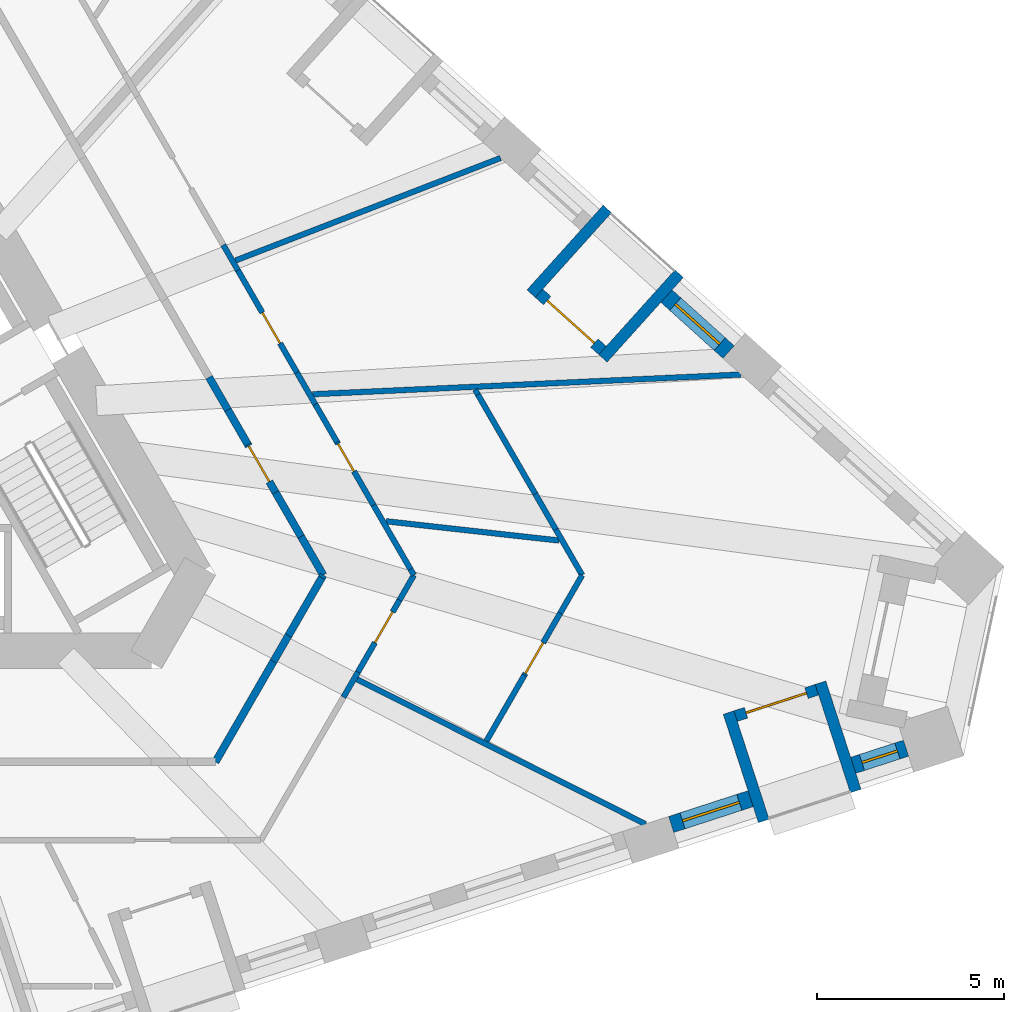
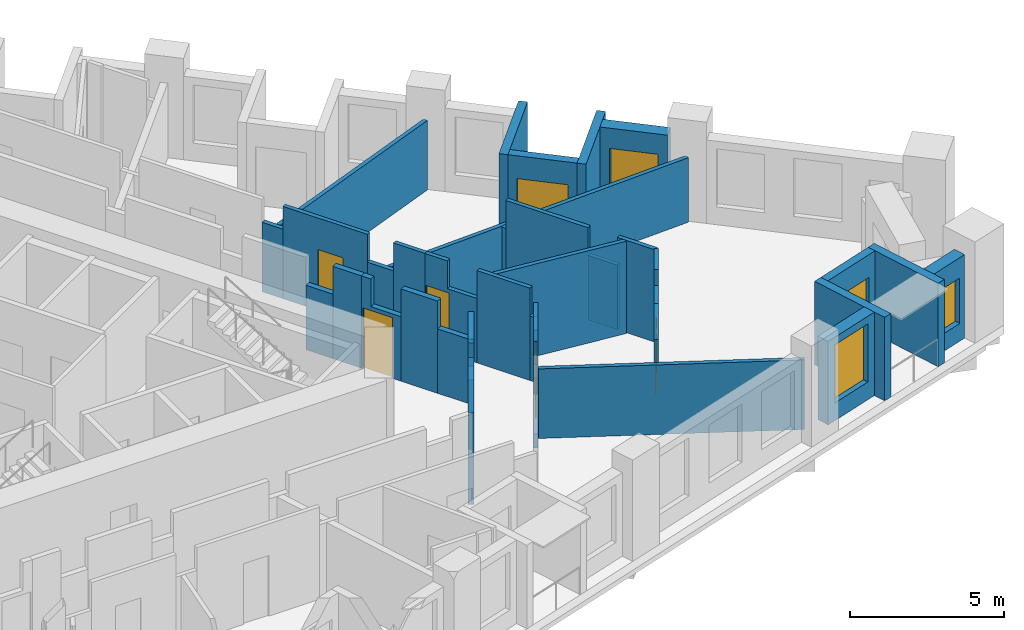
# One storey, part 6 of 12: 39 walls, 7 doors, 3 windows, 10 openings.
"""IFC4 building model written with IfcOpenShell, lengths in metres."""

from ifc_helpers import new_model, si_unit, direction, frame, frame_2d, origin, place, context, subcontext, project, spatial, polyline, rectangle, outline, extrude, material, layer, layer_set, type_object, element, fill, save


model = new_model("IFC4")

# Units and contexts
model_context = context("Model", 3, precision=1e-05, world=origin(), true_north=direction((0.0, 1.0)))
body_context = subcontext(model_context, "Body", "Model", "MODEL_VIEW")
ifc_project = project(units=[si_unit("LENGTHUNIT", "METRE"), si_unit("AREAUNIT", "SQUARE_METRE"), si_unit("VOLUMEUNIT", "CUBIC_METRE"), si_unit("PLANEANGLEUNIT", "RADIAN"), si_unit("MASSUNIT", "GRAM", prefix="KILO")], contexts=[model_context])

# Site, building, storey
site_placement = place(None, origin())
site = spatial("IfcSite", under=ifc_project, at=site_placement, CompositionType="ELEMENT")
building_placement = place(site_placement, origin())
building = spatial("IfcBuilding", under=site, at=building_placement, Name="Tramontana Tower", CompositionType="ELEMENT")
storey_placement = place(building_placement, frame((0.0, 0.0, 96.39990234375)))
storey = spatial("IfcBuildingStorey", under=building, at=storey_placement, Name="L21", CompositionType="ELEMENT", Elevation=96.39990234375)

# Walls
ifc_material_1 = material(Name="Blockwork", Category="masonry")
ifc_layer_1 = layer(ifc_material_1, 0.199951171875)
ifc_layer_set_1 = layer_set([ifc_layer_1], Name="ENTRY WALL 200")
wall_type_1 = type_object("IfcWallType", Name="ENTRY WALL 200", PredefinedType="SOLIDWALL", material=ifc_layer_set_1)
wall_1_placement = place(storey_placement, frame((10.077392578125, 1.04541015625, 0.0), z_axis=(0.0, 0.0, 1.0), x_axis=(0.500051323872, -0.865995769906, 0.0)))
element("IfcWall", 1, at=wall_1_placement, inside=storey, type_object=wall_type_1, Name="Wall v20-ew0-7", PredefinedType="SOLIDWALL", context=body_context, shape_type="SweptSolid", body=[
    extrude(rectangle(XDim=1.0068359375, YDim=0.199951171875, at=frame_2d((0.50341796875, 0.0))), origin(), (0.0, 0.0, 1.0), 2.550048828125),
])
wall_2_placement = place(storey_placement, frame((10.580810546875, 0.173583984375, 0.0), z_axis=(0.0, 0.0, 1.0), x_axis=(0.499920058375, -0.866071553184, 0.0)))
element("IfcWall", 2, at=wall_2_placement, inside=storey, type_object=wall_type_1, Name="Wall v20-ew0-8", PredefinedType="SOLIDWALL", context=body_context, shape_type="SweptSolid", body=[
    extrude(rectangle(XDim=1.069580078125, YDim=0.199951171875, at=frame_2d((0.53466796875, 0.0))), origin(), (0.0, 0.0, 1.0), 3.650146484375),
])

# Wall, opening, door
wall_3_placement = place(storey_placement, frame((11.115478515625, -0.752685546875, 0.0), z_axis=(0.0, 0.0, 1.0), x_axis=(0.499973719246, -0.866040576453, 0.0)))
wall_3 = element("IfcWall", 3, at=wall_3_placement, inside=storey, type_object=wall_type_1, Name="Wall v20-ew0-9", PredefinedType="SOLIDWALL", context=body_context, shape_type="SweptSolid", body=[
    extrude(outline(polyline([(0.0, 0.0), (1.48583984375, 0.0), (1.48583984375, 2.550048828125), (0.349853515625, 2.550048828125), (0.349853515625, 3.650146484375), (0.0, 3.650146484375), (0.0, 0.0)])), frame((0.0, 0.10009765625, 0.0), z_axis=(0.0, -1.0, 0.0), x_axis=(1.0, 0.0, 0.0)), (0.0, 0.0, 1.0), 0.199951171875),
])
opening_1_placement = place(wall_3_placement, frame((0.050048828125, 0.0, 0.0)))
opening_1 = element("IfcOpeningElement", 4, at=opening_1_placement, cuts=wall_3, Name="Opening B2A-24", PredefinedType="OPENING", context=body_context, shape_type="SweptSolid", body=[
    extrude(rectangle(XDim=1.10009765625, YDim=2.39990234375, at=frame_2d((0.550048828125, 1.199951171875))), frame((0.0, 0.10986328125, 0.0), z_axis=(0.0, -1.0, 0.0), x_axis=(1.0, 0.0, 0.0)), (0.0, 0.0, 1.0), 0.219970703125),
])
ifc_material_2 = material(Name="Painted timber", Category="wood")
door_type_1 = type_object("IfcDoorType", Name="DOOR ENTRY 1100", OperationType="SINGLE_SWING_LEFT", PredefinedType="DOOR", material=ifc_material_2)
door_1_placement = place(opening_1_placement, origin())
door_1 = element("IfcDoor", 5, at=door_1_placement, inside=storey, type_object=door_type_1, Name="Door B2A-24", OperationType="SINGLE_SWING_RIGHT", OverallHeight=2.39990234375, OverallWidth=1.10009765625, PredefinedType="DOOR", context=body_context, shape_type="SweptSolid", body=[
    extrude(rectangle(XDim=1.10009765625, YDim=2.39990234375, at=frame_2d((0.550048828125, 1.199951171875))), frame((0.0, 0.02490234375, 0.0), z_axis=(0.0, -1.0, 0.0), x_axis=(1.0, 0.0, 0.0)), (0.0, 0.0, 1.0), 0.050048828125),
])
fill(opening_1, door_1)

# Walls
wall_4_placement = place(storey_placement, frame((11.8583984375, -2.03955078125, 0.0), z_axis=(0.0, 0.0, 1.0), x_axis=(0.500038357328, -0.866003257038, 0.0)))
element("IfcWall", 6, at=wall_4_placement, inside=storey, type_object=wall_type_1, Name="Wall v20-ew0-10", PredefinedType="SOLIDWALL", context=body_context, shape_type="SweptSolid", body=[
    extrude(rectangle(XDim=1.3603515625, YDim=0.199951171875, at=frame_2d((0.68017578125, 0.0))), origin(), (0.0, 0.0, 1.0), 3.650146484375),
])
wall_5_placement = place(storey_placement, frame((12.53857421875, -3.217529296875, 0.0), z_axis=(0.0, 0.0, 1.0), x_axis=(0.500059236744, -0.865991200733, 0.0)))
element("IfcWall", 7, at=wall_5_placement, inside=storey, type_object=wall_type_1, Name="Wall v20-ew0-11", PredefinedType="SOLIDWALL", context=body_context, shape_type="SweptSolid", body=[
    extrude(rectangle(XDim=1.192138671875, YDim=0.199951171875, at=frame_2d((0.59619140625, 0.0))), origin(), (0.0, 0.0, 1.0), 2.550048828125),
])
wall_6_placement = place(storey_placement, frame((13.134765625, -4.25, 0.0), z_axis=(0.0, 0.0, 1.0), x_axis=(-0.501397775159, -0.865216892499, 0.0)))
element("IfcWall", 8, at=wall_6_placement, inside=storey, type_object=wall_type_1, Name="Wall v20-ew1-0", PredefinedType="SOLIDWALL", context=body_context, shape_type="SweptSolid", body=[
    extrude(rectangle(XDim=0.079833984375, YDim=0.199951171875, at=frame_2d((0.0400390625, 0.0))), origin(), (0.0, 0.0, 1.0), 2.550048828125),
])
wall_7_placement = place(storey_placement, frame((13.0947265625, -4.319091796875, 0.0), z_axis=(0.0, 0.0, 1.0), x_axis=(-0.499986405537, -0.866033252409, 0.0)))
element("IfcWall", 9, at=wall_7_placement, inside=storey, type_object=wall_type_1, Name="Wall v20-ew1-1", PredefinedType="SOLIDWALL", context=body_context, shape_type="SweptSolid", body=[
    extrude(rectangle(XDim=1.7880859375, YDim=0.199951171875, at=frame_2d((0.89404296875, 0.0))), origin(), (0.0, 0.0, 1.0), 3.650146484375),
])
wall_8_placement = place(storey_placement, frame((12.20068359375, -5.86767578125, 0.0), z_axis=(0.0, 0.0, 1.0), x_axis=(-0.499942357345, -0.866058681229, 0.0)))
element("IfcWall", 10, at=wall_8_placement, inside=storey, type_object=wall_type_1, Name="Wall v20-ew1-2", PredefinedType="SOLIDWALL", context=body_context, shape_type="SweptSolid", body=[
    extrude(rectangle(XDim=0.80078125, YDim=0.199951171875, at=frame_2d((0.400390625, 0.0))), origin(), (0.0, 0.0, 1.0), 2.75),
])
wall_9_placement = place(storey_placement, frame((11.80029296875, -6.561279296875, 0.0), z_axis=(0.0, 0.0, 1.0), x_axis=(-0.499978855264, -0.866037611359, 0.0)))
element("IfcWall", 11, at=wall_9_placement, inside=storey, type_object=wall_type_1, Name="Wall v20-ew1-3", PredefinedType="SOLIDWALL", context=body_context, shape_type="SweptSolid", body=[
    extrude(rectangle(XDim=3.104736328125, YDim=0.199951171875, at=frame_2d((1.55224609375, 0.0))), origin(), (0.0, 0.0, 1.0), 3.650146484375),
])

# Wall, opening, window
ifc_material_3 = material(Name="Precast concrete 60 MPa", Category="concrete")
ifc_layer_2 = layer(ifc_material_3, 0.449951171875)
ifc_layer_set_2 = layer_set([ifc_layer_2], Name="Precast concrete 60 MPa, 450 mm")
wall_type_2 = type_object("IfcWallType", Name="EW1 Stone-faced precast wall 450", PredefinedType="SOLIDWALL", material=ifc_layer_set_2)
wall_10_placement = place(storey_placement, frame((22.444580078125, -10.923828125, 0.0), z_axis=(0.0, 0.0, 1.0), x_axis=(0.951067749801, 0.30898241906, 0.0)))
wall_10 = element("IfcWall", 12, at=wall_10_placement, inside=storey, type_object=wall_type_2, Name="External wall L21 face 1 bay 6", PredefinedType="SOLIDWALL", context=body_context, shape_type="SweptSolid", body=[
    extrude(rectangle(XDim=2.23681640625, YDim=0.449951171875, at=frame_2d((1.118408203125, 0.0))), origin(), (0.0, 0.0, 1.0), 3.300048828125),
])
opening_2_placement = place(wall_10_placement, frame((0.318359375, 0.0, 0.699951171875)))
opening_2 = element("IfcOpeningElement", 13, at=opening_2_placement, cuts=wall_10, Name="Opening M1", PredefinedType="OPENING", context=body_context, shape_type="SweptSolid", body=[
    extrude(rectangle(XDim=1.60009765625, YDim=2.300048828125, at=frame_2d((0.800048828125, 1.14990234375))), frame((0.0, 0.23486328125, 0.0), z_axis=(0.0, -1.0, 0.0), x_axis=(1.0, 0.0, 0.0)), (0.0, 0.0, 1.0), 0.469970703125),
])
ifc_material_4 = material(Name="Aluminum frame, double glazing unit", Category="aluminium")
window_type_1 = type_object("IfcWindowType", Name="M1 Window 1.6 x 2.3", PartitioningType="SINGLE_PANEL", PredefinedType="WINDOW", material=ifc_material_4)
window_1_placement = place(opening_2_placement, origin())
window_1 = element("IfcWindow", 14, at=window_1_placement, inside=storey, type_object=window_type_1, Name="Window M1 L21 face 1 module 16", OverallHeight=2.300048828125, OverallWidth=1.60009765625, PartitioningType="SINGLE_PANEL", PredefinedType="WINDOW", context=body_context, shape_type="SweptSolid", body=[
    extrude(rectangle(XDim=1.60009765625, YDim=2.300048828125, at=frame_2d((0.800048828125, 1.14990234375))), frame((0.0, 0.030029296875, 0.0), z_axis=(0.0, -1.0, 0.0), x_axis=(1.0, 0.0, 0.0)), (0.0, 0.0, 1.0), 0.06005859375),
])
fill(opening_2, window_1)

wall_11_placement = place(storey_placement, frame((27.3173828125, -9.340576171875, 0.0), z_axis=(0.0, 0.0, 1.0), x_axis=(0.951053373744, 0.309026665985, 0.0)))
wall_11 = element("IfcWall", 15, at=wall_11_placement, inside=storey, type_object=wall_type_2, Name="External wall L21 face 1 bay 6", PredefinedType="SOLIDWALL", context=body_context, shape_type="SweptSolid", body=[
    extrude(rectangle(XDim=1.48681640625, YDim=0.449951171875, at=frame_2d((0.743408203125, 0.0))), origin(), (0.0, 0.0, 1.0), 3.300048828125),
])
opening_3_placement = place(wall_11_placement, frame((0.243408203125, 0.0, 0.699951171875)))
opening_3 = element("IfcOpeningElement", 16, at=opening_3_placement, cuts=wall_11, Name="Opening N1L", PredefinedType="OPENING", context=body_context, shape_type="SweptSolid", body=[
    extrude(rectangle(XDim=1.0, YDim=1.800048828125, at=frame_2d((0.5, 0.89990234375))), frame((0.0, 0.23486328125, 0.0), z_axis=(0.0, -1.0, 0.0), x_axis=(1.0, 0.0, 0.0)), (0.0, 0.0, 1.0), 0.469970703125),
])
ifc_material_5 = material(Name="Aluminum frame, double glazing unit", Category="aluminium")
window_type_2 = type_object("IfcWindowType", Name="N1L Window 1 x 1.8", PartitioningType="SINGLE_PANEL", PredefinedType="WINDOW", material=ifc_material_5)
window_2_placement = place(opening_3_placement, origin())
window_2 = element("IfcWindow", 17, at=window_2_placement, inside=storey, type_object=window_type_2, Name="Window N1L L21 face 1 module 18", OverallHeight=1.800048828125, OverallWidth=1.0, PartitioningType="SINGLE_PANEL", PredefinedType="WINDOW", context=body_context, shape_type="SweptSolid", body=[
    extrude(rectangle(XDim=1.0, YDim=1.800048828125, at=frame_2d((0.5, 0.89990234375))), frame((0.0, 0.030029296875, 0.0), z_axis=(0.0, -1.0, 0.0), x_axis=(1.0, 0.0, 0.0)), (0.0, 0.0, 1.0), 0.06005859375),
])
fill(opening_3, window_2)

wall_12_placement = place(storey_placement, frame((23.981201171875, 1.72021484375, 0.0), z_axis=(0.0, 0.0, 1.0), x_axis=(-0.743142151309, 0.669133576311, 0.0)))
wall_12 = element("IfcWall", 18, at=wall_12_placement, inside=storey, type_object=wall_type_2, Name="External wall L21 face 2 bay 2", PredefinedType="SOLIDWALL", context=body_context, shape_type="SweptSolid", body=[
    extrude(rectangle(XDim=2.236572265625, YDim=0.449951171875, at=frame_2d((1.1181640625, 0.0))), origin(), (0.0, 0.0, 1.0), 3.300048828125),
])
opening_4_placement = place(wall_12_placement, frame((0.318359375, 0.0, 0.699951171875)))
opening_4 = element("IfcOpeningElement", 19, at=opening_4_placement, cuts=wall_12, Name="Opening M1L", PredefinedType="OPENING", context=body_context, shape_type="SweptSolid", body=[
    extrude(rectangle(XDim=1.60009765625, YDim=1.800048828125, at=frame_2d((0.800048828125, 0.89990234375))), frame((0.0, 0.23486328125, 0.0), z_axis=(0.0, -1.0, 0.0), x_axis=(1.0, 0.0, 0.0)), (0.0, 0.0, 1.0), 0.469970703125),
])
ifc_material_6 = material(Name="Aluminum frame, double glazing unit", Category="aluminium")
window_type_3 = type_object("IfcWindowType", Name="M1L Window 1.6 x 1.8", PartitioningType="SINGLE_PANEL", PredefinedType="WINDOW", material=ifc_material_6)
window_3_placement = place(opening_4_placement, origin())
window_3 = element("IfcWindow", 20, at=window_3_placement, inside=storey, type_object=window_type_3, Name="Window M1L L21 face 2 module 4", OverallHeight=1.800048828125, OverallWidth=1.60009765625, PartitioningType="SINGLE_PANEL", PredefinedType="WINDOW", context=body_context, shape_type="SweptSolid", body=[
    extrude(rectangle(XDim=1.60009765625, YDim=1.800048828125, at=frame_2d((0.800048828125, 0.89990234375))), frame((0.0, 0.030029296875, 0.0), z_axis=(0.0, -1.0, 0.0), x_axis=(1.0, 0.0, 0.0)), (0.0, 0.0, 1.0), 0.06005859375),
])
fill(opening_4, window_3)

# Wall, opening, door
ifc_material_7 = material(Name="Precast concrete 60 MPa", Category="concrete")
ifc_layer_3 = layer(ifc_material_7, 0.300048828125)
ifc_layer_set_3 = layer_set([ifc_layer_3], Name="LW1 Stone-faced loggia wall 300")
wall_type_3 = type_object("IfcWallType", Name="LW1 Stone-faced loggia wall 300", PredefinedType="SOLIDWALL", material=ifc_layer_set_3)
wall_13_placement = place(storey_placement, frame((24.169677734375, -8.02392578125, 0.0), z_axis=(0.0, 0.0, 1.0), x_axis=(0.95103720697, 0.309076416051, 0.0)))
wall_13 = element("IfcWall", 21, at=wall_13_placement, inside=storey, type_object=wall_type_3, Name="Loggia wall L21 G2S1.16", PredefinedType="SOLIDWALL", context=body_context, shape_type="SweptSolid", body=[
    extrude(rectangle(XDim=2.286865234375, YDim=0.300048828125, at=frame_2d((1.1435546875, 0.0))), origin(), (0.0, 0.0, 1.0), 3.300048828125),
])
opening_5_placement = place(wall_13_placement, frame((0.29345703125, 0.0, 0.0)))
opening_5 = element("IfcOpeningElement", 22, at=opening_5_placement, cuts=wall_13, Name="Opening BD-2S1-16", PredefinedType="OPENING", context=body_context, shape_type="SweptSolid", body=[
    extrude(rectangle(XDim=1.699951171875, YDim=2.39990234375, at=frame_2d((0.85009765625, 1.199951171875))), frame((0.0, 0.159912109375, 0.0), z_axis=(0.0, -1.0, 0.0), x_axis=(1.0, 0.0, 0.0)), (0.0, 0.0, 1.0), 0.320068359375),
])
ifc_material_8 = material(Name="Aluminum frame, double glazing unit", Category="aluminium")
door_type_2 = type_object("IfcDoorType", Name="BD1 Sliding door 1.7 x 2.4", OperationType="SLIDING_TO_LEFT", PredefinedType="DOOR", material=ifc_material_8)
door_2_placement = place(opening_5_placement, origin())
door_2 = element("IfcDoor", 23, at=door_2_placement, inside=storey, type_object=door_type_2, Name="Loggia door L21 G2S1.16", OperationType="SLIDING_TO_LEFT", OverallHeight=2.39990234375, OverallWidth=1.699951171875, PredefinedType="DOOR", context=body_context, shape_type="SweptSolid", body=[
    extrude(rectangle(XDim=1.699951171875, YDim=2.39990234375, at=frame_2d((0.85009765625, 1.199951171875))), frame((0.0, 0.02490234375, 0.0), z_axis=(0.0, -1.0, 0.0), x_axis=(1.0, 0.0, 0.0)), (0.0, 0.0, 1.0), 0.050048828125),
])
fill(opening_5, door_2)

# Walls
wall_14_placement = place(storey_placement, frame((24.923095703125, -10.828369140625, 0.0), z_axis=(0.0, 0.0, 1.0), x_axis=(-0.308966615996, 0.951072883748, 0.0)))
element("IfcWall", 24, at=wall_14_placement, inside=storey, type_object=wall_type_3, Name="Loggia return L21 G2S1.16a", PredefinedType="SOLIDWALL", context=body_context, shape_type="SweptSolid", body=[
    extrude(rectangle(XDim=3.050048828125, YDim=0.300048828125, at=frame_2d((1.52490234375, 0.0))), origin(), (0.0, 0.0, 1.0), 3.300048828125),
])
wall_15_placement = place(storey_placement, frame((27.38330078125, -10.02880859375, 0.0), z_axis=(0.0, 0.0, 1.0), x_axis=(-0.308990138358, 0.951065241925, 0.0)))
element("IfcWall", 25, at=wall_15_placement, inside=storey, type_object=wall_type_3, Name="Loggia return L21 G2S1.16b", PredefinedType="SOLIDWALL", context=body_context, shape_type="SweptSolid", body=[
    extrude(rectangle(XDim=3.0498046875, YDim=0.300048828125, at=frame_2d((1.52490234375, 0.0))), origin(), (0.0, 0.0, 1.0), 3.300048828125),
])

# Wall, opening, door
wall_16_placement = place(storey_placement, frame((20.607421875, 1.76416015625, 0.0), z_axis=(0.0, 0.0, 1.0), x_axis=(-0.743182653308, 0.669088591909, 0.0)))
wall_16 = element("IfcWall", 26, at=wall_16_placement, inside=storey, type_object=wall_type_3, Name="Loggia wall L21 G2S2.4", PredefinedType="SOLIDWALL", context=body_context, shape_type="SweptSolid", body=[
    extrude(rectangle(XDim=2.28662109375, YDim=0.300048828125, at=frame_2d((1.143310546875, 0.0))), origin(), (0.0, 0.0, 1.0), 3.300048828125),
])
opening_6_placement = place(wall_16_placement, frame((0.29345703125, 0.0, 0.0)))
opening_6 = element("IfcOpeningElement", 27, at=opening_6_placement, cuts=wall_16, Name="Opening BD-2S2-04", PredefinedType="OPENING", context=body_context, shape_type="SweptSolid", body=[
    extrude(rectangle(XDim=1.699951171875, YDim=2.39990234375, at=frame_2d((0.85009765625, 1.199951171875))), frame((0.0, 0.159912109375, 0.0), z_axis=(0.0, -1.0, 0.0), x_axis=(1.0, 0.0, 0.0)), (0.0, 0.0, 1.0), 0.320068359375),
])
door_3_placement = place(opening_6_placement, origin())
door_3 = element("IfcDoor", 28, at=door_3_placement, inside=storey, type_object=door_type_2, Name="Loggia door L21 G2S2.4", OperationType="SLIDING_TO_LEFT", OverallHeight=2.39990234375, OverallWidth=1.699951171875, PredefinedType="DOOR", context=body_context, shape_type="SweptSolid", body=[
    extrude(rectangle(XDim=1.699951171875, YDim=2.39990234375, at=frame_2d((0.85009765625, 1.199951171875))), frame((0.0, 0.02490234375, 0.0), z_axis=(0.0, -1.0, 0.0), x_axis=(1.0, 0.0, 0.0)), (0.0, 0.0, 1.0), 0.050048828125),
])
fill(opening_6, door_3)

# Walls
for number, where, z_axis, x_axis, name in (
    (29, (22.6591796875, 3.81884765625, 0.0), (0.0, 0.0, 1.0), (-0.669115082961, -0.743158802514, 0.0), "Loggia return L21 G2S2.4a"),
    (30, (20.73681640625, 5.5498046875, 0.0), (0.0, 0.0, 1.0), (-0.669115082961, -0.743158802514, 0.0), "Loggia return L21 G2S2.4b"),
):
    element("IfcWall", number, at=place(storey_placement, frame(where, z_axis=z_axis, x_axis=x_axis)), inside=storey, type_object=wall_type_3, Name=name, PredefinedType="SOLIDWALL", context=body_context, shape_type="SweptSolid", body=[
        extrude(rectangle(XDim=3.050048828125, YDim=0.300048828125, at=frame_2d((1.52490234375, 0.0))), origin(), (0.0, 0.0, 1.0), 3.300048828125),
    ])
ifc_material_9 = material(Name="Gypsum board partition")
ifc_layer_4 = layer(ifc_material_9, 0.14990234375)
ifc_layer_set_4 = layer_set([ifc_layer_4], Name="PARTITION 150")
wall_type_4 = type_object("IfcWallType", Name="PARTITION 150", PredefinedType="PARTITIONING", material=ifc_layer_set_4)
wall_17_placement = place(storey_placement, frame((10.4580078125, 4.58642578125, 0.0), z_axis=(0.0, 0.0, 1.0), x_axis=(0.49979442921, -0.866144057608, 0.0)))
element("IfcWall", 31, at=wall_17_placement, inside=storey, type_object=wall_type_4, Name="Wall v20-pw23-4", PredefinedType="PARTITIONING", context=body_context, shape_type="SweptSolid", body=[
    extrude(rectangle(XDim=0.782958984375, YDim=0.14990234375, at=frame_2d((0.3916015625, 0.0))), origin(), (0.0, 0.0, 1.0), 2.75),
])

# Wall, opening, door
wall_18_placement = place(storey_placement, frame((10.849365234375, 3.908203125, 0.0), z_axis=(0.0, 0.0, 1.0), x_axis=(0.500027861653, -0.866009317254, 0.0)))
wall_18 = element("IfcWall", 32, at=wall_18_placement, inside=storey, type_object=wall_type_4, Name="Wall v20-pw23-5", PredefinedType="PARTITIONING", context=body_context, shape_type="SweptSolid", body=[
    extrude(rectangle(XDim=3.159912109375, YDim=0.14990234375, at=frame_2d((1.580078125, 0.0))), origin(), (0.0, 0.0, 1.0), 3.650146484375),
])
opening_7_placement = place(wall_18_placement, frame((1.30712890625, 0.0, 0.0)))
opening_7 = element("IfcOpeningElement", 33, at=opening_7_placement, cuts=wall_18, Name="Opening B2A-18", PredefinedType="OPENING", context=body_context, shape_type="SweptSolid", body=[
    extrude(rectangle(XDim=0.949951171875, YDim=2.39990234375, at=frame_2d((0.47509765625, 1.199951171875))), frame((0.0, 0.0849609375, 0.0), z_axis=(0.0, -1.0, 0.0), x_axis=(1.0, 0.0, 0.0)), (0.0, 0.0, 1.0), 0.169921875),
])
ifc_material_10 = material(Name="Painted timber", Category="wood")
door_type_3 = type_object("IfcDoorType", Name="DOOR ROOM 950", OperationType="SINGLE_SWING_LEFT", PredefinedType="DOOR", material=ifc_material_10)
door_4_placement = place(opening_7_placement, origin())
door_4 = element("IfcDoor", 34, at=door_4_placement, inside=storey, type_object=door_type_3, Name="Door B2A-18", OperationType="SINGLE_SWING_RIGHT", OverallHeight=2.39990234375, OverallWidth=0.949951171875, PredefinedType="DOOR", context=body_context, shape_type="SweptSolid", body=[
    extrude(rectangle(XDim=0.949951171875, YDim=2.39990234375, at=frame_2d((0.47509765625, 1.199951171875))), frame((0.0, 0.02490234375, 0.0), z_axis=(0.0, -1.0, 0.0), x_axis=(1.0, 0.0, 0.0)), (0.0, 0.0, 1.0), 0.050048828125),
])
fill(opening_7, door_4)

# Walls
wall_19_placement = place(storey_placement, frame((12.429443359375, 1.171630859375, 0.0), z_axis=(0.0, 0.0, 1.0), x_axis=(0.499895202697, -0.866085900082, 0.0)))
element("IfcWall", 35, at=wall_19_placement, inside=storey, type_object=wall_type_4, Name="Wall v20-pw23-6", PredefinedType="PARTITIONING", context=body_context, shape_type="SweptSolid", body=[
    extrude(rectangle(XDim=0.978759765625, YDim=0.14990234375, at=frame_2d((0.4892578125, 0.0))), origin(), (0.0, 0.0, 1.0), 2.550048828125),
])
wall_20_placement = place(storey_placement, frame((12.918701171875, 0.323974609375, 0.0), z_axis=(0.0, 0.0, 1.0), x_axis=(0.500028278809, -0.866009076391, 0.0)))
element("IfcWall", 36, at=wall_20_placement, inside=storey, type_object=wall_type_4, Name="Wall v20-pw23-7", PredefinedType="PARTITIONING", context=body_context, shape_type="SweptSolid", body=[
    extrude(rectangle(XDim=1.1748046875, YDim=0.14990234375, at=frame_2d((0.58740234375, 0.0))), origin(), (0.0, 0.0, 1.0), 3.650146484375),
])

# Wall, opening, door
wall_21_placement = place(storey_placement, frame((13.506103515625, -0.693359375, 0.0), z_axis=(0.0, 0.0, 1.0), x_axis=(0.500001430823, -0.866024577697, 0.0)))
wall_21 = element("IfcWall", 37, at=wall_21_placement, inside=storey, type_object=wall_type_4, Name="Wall v20-pw23-8", PredefinedType="PARTITIONING", context=body_context, shape_type="SweptSolid", body=[
    extrude(outline(polyline([(0.0, 0.0), (1.9443359375, 0.0), (1.944580078125, 2.550048828125), (0.83984375, 2.550048828125), (0.83984375, 3.650146484375), (0.0, 3.650146484375), (0.0, 0.0)])), frame((0.0, 0.074951171875, 0.0), z_axis=(0.0, -1.0, 0.0), x_axis=(1.0, 0.0, 0.0)), (0.0, 0.0, 1.0), 0.14990234375),
])
opening_8_placement = place(wall_21_placement, frame((0.050048828125, 0.0, 0.0)))
opening_8 = element("IfcOpeningElement", 38, at=opening_8_placement, cuts=wall_21, Name="Opening B2A-16", PredefinedType="OPENING", context=body_context, shape_type="SweptSolid", body=[
    extrude(rectangle(XDim=0.85009765625, YDim=2.39990234375, at=frame_2d((0.425048828125, 1.199951171875))), frame((0.0, 0.0849609375, 0.0), z_axis=(0.0, -1.0, 0.0), x_axis=(1.0, 0.0, 0.0)), (0.0, 0.0, 1.0), 0.169921875),
])
ifc_material_11 = material(Name="Painted timber", Category="wood")
door_type_4 = type_object("IfcDoorType", Name="DOOR BATH 850", OperationType="SINGLE_SWING_LEFT", PredefinedType="DOOR", material=ifc_material_11)
door_5_placement = place(opening_8_placement, origin())
door_5 = element("IfcDoor", 39, at=door_5_placement, inside=storey, type_object=door_type_4, Name="Door B2A-16", OperationType="SINGLE_SWING_RIGHT", OverallHeight=2.39990234375, OverallWidth=0.85009765625, PredefinedType="DOOR", context=body_context, shape_type="SweptSolid", body=[
    extrude(rectangle(XDim=0.85009765625, YDim=2.39990234375, at=frame_2d((0.425048828125, 1.199951171875))), frame((0.0, 0.02490234375, 0.0), z_axis=(0.0, -1.0, 0.0), x_axis=(1.0, 0.0, 0.0)), (0.0, 0.0, 1.0), 0.050048828125),
])
fill(opening_8, door_5)

# Walls
wall_22_placement = place(storey_placement, frame((14.478271484375, -2.377197265625, 0.0), z_axis=(0.0, 0.0, 1.0), x_axis=(0.499971491109, -0.866041862775, 0.0)))
element("IfcWall", 40, at=wall_22_placement, inside=storey, type_object=wall_type_4, Name="Wall v20-pw23-9", PredefinedType="PARTITIONING", context=body_context, shape_type="SweptSolid", body=[
    extrude(rectangle(XDim=1.97998046875, YDim=0.14990234375, at=frame_2d((0.989990234375, 0.0))), origin(), (0.0, 0.0, 1.0), 3.650146484375),
])
wall_23_placement = place(storey_placement, frame((15.46826171875, -4.092041015625, 0.0), z_axis=(0.0, 0.0, 1.0), x_axis=(0.50045593687, -0.865762008436, 0.0)))
element("IfcWall", 41, at=wall_23_placement, inside=storey, type_object=wall_type_4, Name="Wall v20-pw23-10", PredefinedType="PARTITIONING", context=body_context, shape_type="SweptSolid", body=[
    extrude(rectangle(XDim=0.182373046875, YDim=0.14990234375, at=frame_2d((0.09130859375, 0.0))), origin(), (0.0, 0.0, 1.0), 2.550048828125),
])
wall_24_placement = place(storey_placement, frame((10.784912109375, 4.170166015625, 0.0), z_axis=(0.0, 0.0, 1.0), x_axis=(0.932701213241, 0.360650033716, 0.0)))
element("IfcWall", 42, at=wall_24_placement, inside=storey, type_object=wall_type_4, Name="Wall v20-pw30-0", PredefinedType="PARTITIONING", context=body_context, shape_type="SweptSolid", body=[
    extrude(rectangle(XDim=7.604736328125, YDim=0.14990234375, at=frame_2d((3.80224609375, 0.0))), origin(), (0.0, 0.0, 1.0), 2.75),
])
wall_25_placement = place(storey_placement, frame((12.851318359375, 0.591064453125, 0.0), z_axis=(0.0, 0.0, 1.0), x_axis=(0.998944359646, 0.045936546805, 0.0)))
element("IfcWall", 43, at=wall_25_placement, inside=storey, type_object=wall_type_4, Name="Wall v20-pw33-0", PredefinedType="PARTITIONING", context=body_context, shape_type="SweptSolid", body=[
    extrude(rectangle(XDim=11.474609375, YDim=0.14990234375, at=frame_2d((5.7373046875, 0.0))), origin(), (0.0, 0.0, 1.0), 2.550048828125),
])
wall_26_placement = place(storey_placement, frame((14.813720703125, -2.80810546875, 0.0), z_axis=(0.0, 0.0, 1.0), x_axis=(0.993844670605, -0.110782537929, 0.0)))
element("IfcWall", 44, at=wall_26_placement, inside=storey, type_object=wall_type_4, Name="Wall v20-pw34", PredefinedType="PARTITIONING", context=body_context, shape_type="SweptSolid", body=[
    extrude(rectangle(XDim=4.656494140625, YDim=0.14990234375, at=frame_2d((2.328125, 0.0))), origin(), (0.0, 0.0, 1.0), 3.650146484375),
])
wall_27_placement = place(storey_placement, frame((15.5595703125, -4.25, 0.0), z_axis=(0.0, 0.0, 1.0), x_axis=(-0.500124558158, -0.865953478154, 0.0)))
element("IfcWall", 45, at=wall_27_placement, inside=storey, type_object=wall_type_4, Name="Wall v20-pw35-0", PredefinedType="PARTITIONING", context=body_context, shape_type="SweptSolid", body=[
    extrude(rectangle(XDim=0.770751953125, YDim=0.14990234375, at=frame_2d((0.38525390625, 0.0))), origin(), (0.0, 0.0, 1.0), 2.550048828125),
])

# Wall, opening, door
wall_28_placement = place(storey_placement, frame((15.174072265625, -4.91748046875, 0.0), z_axis=(0.0, 0.0, 1.0), x_axis=(-0.49993766618, -0.866061389241, 0.0)))
wall_28 = element("IfcWall", 46, at=wall_28_placement, inside=storey, type_object=wall_type_4, Name="Wall v20-pw35-1", PredefinedType="PARTITIONING", context=body_context, shape_type="SweptSolid", body=[
    extrude(rectangle(XDim=2.225830078125, YDim=0.14990234375, at=frame_2d((1.11279296875, 0.0))), origin(), (0.0, 0.0, 1.0), 3.650146484375),
])
opening_9_placement = place(wall_28_placement, frame((0.366455078125, 0.0, 0.0)))
opening_9 = element("IfcOpeningElement", 47, at=opening_9_placement, cuts=wall_28, Name="Opening B2A-15", PredefinedType="OPENING", context=body_context, shape_type="SweptSolid", body=[
    extrude(rectangle(XDim=0.949951171875, YDim=2.39990234375, at=frame_2d((0.47509765625, 1.199951171875))), frame((0.0, 0.0849609375, 0.0), z_axis=(0.0, -1.0, 0.0), x_axis=(1.0, 0.0, 0.0)), (0.0, 0.0, 1.0), 0.169921875),
])
door_6_placement = place(opening_9_placement, origin())
door_6 = element("IfcDoor", 48, at=door_6_placement, inside=storey, type_object=door_type_3, Name="Door B2A-15", OperationType="SINGLE_SWING_LEFT", OverallHeight=2.39990234375, OverallWidth=0.949951171875, PredefinedType="DOOR", context=body_context, shape_type="SweptSolid", body=[
    extrude(rectangle(XDim=0.949951171875, YDim=2.39990234375, at=frame_2d((0.47509765625, 1.199951171875))), frame((0.0, 0.02490234375, 0.0), z_axis=(0.0, -1.0, 0.0), x_axis=(1.0, 0.0, 0.0)), (0.0, 0.0, 1.0), 0.050048828125),
])
fill(opening_9, door_6)

# Walls
wall_29_placement = place(storey_placement, frame((14.061279296875, -6.84521484375, 0.0), z_axis=(0.0, 0.0, 1.0), x_axis=(-0.500031167255, -0.866007408613, 0.0)))
element("IfcWall", 49, at=wall_29_placement, inside=storey, type_object=wall_type_4, Name="Wall v20-pw35-2", PredefinedType="PARTITIONING", context=body_context, shape_type="SweptSolid", body=[
    extrude(rectangle(XDim=0.77587890625, YDim=0.14990234375, at=frame_2d((0.387939453125, 0.0))), origin(), (0.0, 0.0, 1.0), 2.75),
])
wall_30_placement = place(storey_placement, frame((17.196044921875, 0.715576171875, 0.0), z_axis=(0.0, 0.0, 1.0), x_axis=(0.499858525911, -0.866107068482, 0.0)))
element("IfcWall", 50, at=wall_30_placement, inside=storey, type_object=wall_type_4, Name="Wall v20-pw36-0", PredefinedType="PARTITIONING", context=body_context, shape_type="SweptSolid", body=[
    extrude(rectangle(XDim=0.1552734375, YDim=0.14990234375, at=frame_2d((0.07763671875, 0.0))), origin(), (0.0, 0.0, 1.0), 2.550048828125),
])
wall_31_placement = place(storey_placement, frame((17.273681640625, 0.5810546875, 0.0), z_axis=(0.0, 0.0, 1.0), x_axis=(0.500037354383, -0.866003836147, 0.0)))
element("IfcWall", 51, at=wall_31_placement, inside=storey, type_object=wall_type_4, Name="Wall v20-pw36-1", PredefinedType="PARTITIONING", context=body_context, shape_type="SweptSolid", body=[
    extrude(rectangle(XDim=3.064697265625, YDim=0.14990234375, at=frame_2d((1.5322265625, 0.0))), origin(), (0.0, 0.0, 1.0), 3.650146484375),
])
wall_32_placement = place(storey_placement, frame((18.80615234375, -2.072998046875, 0.0), z_axis=(0.0, 0.0, 1.0), x_axis=(0.499894629757, -0.866086230776, 0.0)))
element("IfcWall", 52, at=wall_32_placement, inside=storey, type_object=wall_type_4, Name="Wall v20-pw36-2", PredefinedType="PARTITIONING", context=body_context, shape_type="SweptSolid", body=[
    extrude(rectangle(XDim=1.104736328125, YDim=0.14990234375, at=frame_2d((0.55224609375, 0.0))), origin(), (0.0, 0.0, 1.0), 2.550048828125),
])
wall_33_placement = place(storey_placement, frame((19.3583984375, -3.02978515625, 0.0), z_axis=(0.0, 0.0, 1.0), x_axis=(0.500052415518, -0.865995139556, 0.0)))
element("IfcWall", 53, at=wall_33_placement, inside=storey, type_object=wall_type_4, Name="Wall v20-pw36-3", PredefinedType="PARTITIONING", context=body_context, shape_type="SweptSolid", body=[
    extrude(rectangle(XDim=1.408935546875, YDim=0.14990234375, at=frame_2d((0.70458984375, 0.0))), origin(), (0.0, 0.0, 1.0), 3.650146484375),
])
wall_34_placement = place(storey_placement, frame((20.06298828125, -4.25, 0.0), z_axis=(0.0, 0.0, 1.0), x_axis=(-0.500063427972, -0.865988780531, 0.0)))
element("IfcWall", 54, at=wall_34_placement, inside=storey, type_object=wall_type_4, Name="Wall v20-pw37-0", PredefinedType="PARTITIONING", context=body_context, shape_type="SweptSolid", body=[
    extrude(rectangle(XDim=1.177490234375, YDim=0.14990234375, at=frame_2d((0.5888671875, 0.0))), origin(), (0.0, 0.0, 1.0), 3.650146484375),
])

# Wall, opening, door
wall_35_placement = place(storey_placement, frame((19.47412109375, -5.269775390625, 0.0), z_axis=(0.0, 0.0, 1.0), x_axis=(-0.499998833779, -0.866026077102, 0.0)))
wall_35 = element("IfcWall", 55, at=wall_35_placement, inside=storey, type_object=wall_type_4, Name="Wall v20-pw37-1", PredefinedType="PARTITIONING", context=body_context, shape_type="SweptSolid", body=[
    extrude(outline(polyline([(0.0, 0.0), (1.91162109375, 0.0), (1.91162109375, 3.650146484375), (0.900390625, 3.650146484375), (0.900390625, 2.550048828125), (0.0, 2.550048828125), (0.0, 0.0)])), frame((0.0, 0.074951171875, 0.0), z_axis=(0.0, -1.0, 0.0), x_axis=(1.0, 0.0, 0.0)), (0.0, 0.0, 1.0), 0.14990234375),
])
opening_10_placement = place(wall_35_placement, frame((0.91162109375, 0.0, 0.0)))
opening_10 = element("IfcOpeningElement", 56, at=opening_10_placement, cuts=wall_35, Name="Opening B2A-21", PredefinedType="OPENING", context=body_context, shape_type="SweptSolid", body=[
    extrude(rectangle(XDim=0.949951171875, YDim=2.39990234375, at=frame_2d((0.47509765625, 1.199951171875))), frame((0.0, 0.0849609375, 0.0), z_axis=(0.0, -1.0, 0.0), x_axis=(1.0, 0.0, 0.0)), (0.0, 0.0, 1.0), 0.169921875),
])
door_7_placement = place(opening_10_placement, origin())
door_7 = element("IfcDoor", 57, at=door_7_placement, inside=storey, type_object=door_type_3, Name="Door B2A-21", OperationType="SINGLE_SWING_LEFT", OverallHeight=2.39990234375, OverallWidth=0.949951171875, PredefinedType="DOOR", context=body_context, shape_type="SweptSolid", body=[
    extrude(rectangle(XDim=0.949951171875, YDim=2.39990234375, at=frame_2d((0.47509765625, 1.199951171875))), frame((0.0, 0.02490234375, 0.0), z_axis=(0.0, -1.0, 0.0), x_axis=(1.0, 0.0, 0.0)), (0.0, 0.0, 1.0), 0.050048828125),
])
fill(opening_10, door_7)

# Walls
wall_36_placement = place(storey_placement, frame((18.518310546875, -6.92529296875, 0.0), z_axis=(0.0, 0.0, 1.0), x_axis=(-0.499950448838, -0.866054010271, 0.0)))
element("IfcWall", 58, at=wall_36_placement, inside=storey, type_object=wall_type_4, Name="Wall v20-pw37-2", PredefinedType="PARTITIONING", context=body_context, shape_type="SweptSolid", body=[
    extrude(rectangle(XDim=2.039306640625, YDim=0.14990234375, at=frame_2d((1.01953125, 0.0))), origin(), (0.0, 0.0, 1.0), 3.650146484375),
])
wall_37_placement = place(storey_placement, frame((21.7568359375, -10.91064453125, 0.0), z_axis=(0.0, 0.0, 1.0), x_axis=(-0.893895152109, 0.448276094652, 0.0)))
element("IfcWall", 59, at=wall_37_placement, inside=storey, type_object=wall_type_4, Name="Wall v20-pw38-0", PredefinedType="PARTITIONING", context=body_context, shape_type="SweptSolid", body=[
    extrude(rectangle(XDim=8.63720703125, YDim=0.14990234375, at=frame_2d((4.318603515625, 0.0))), origin(), (0.0, 0.0, 1.0), 2.75),
])

save(model, "model.ifc")
